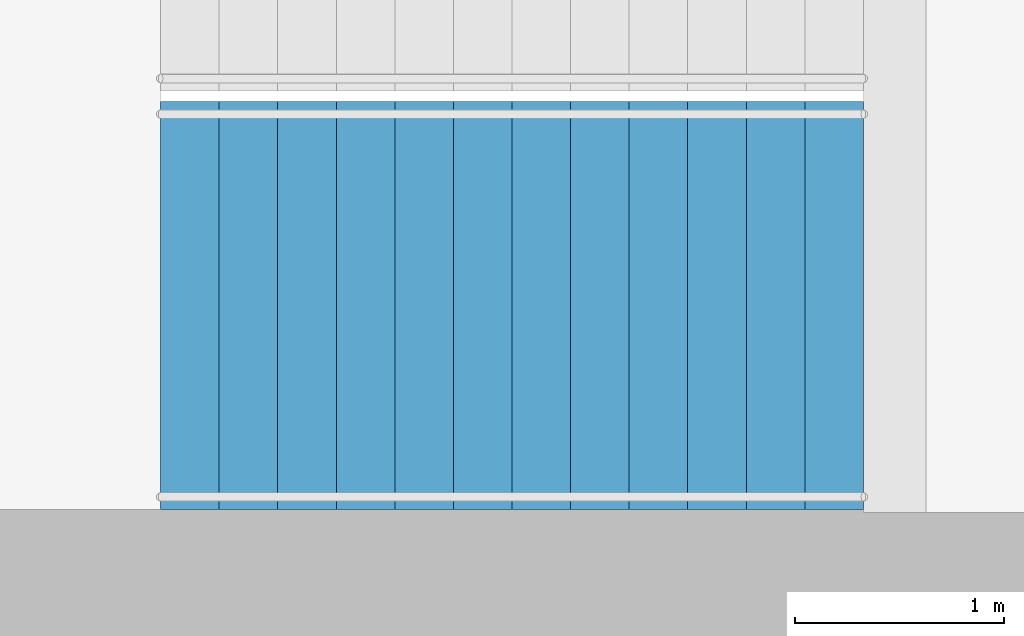
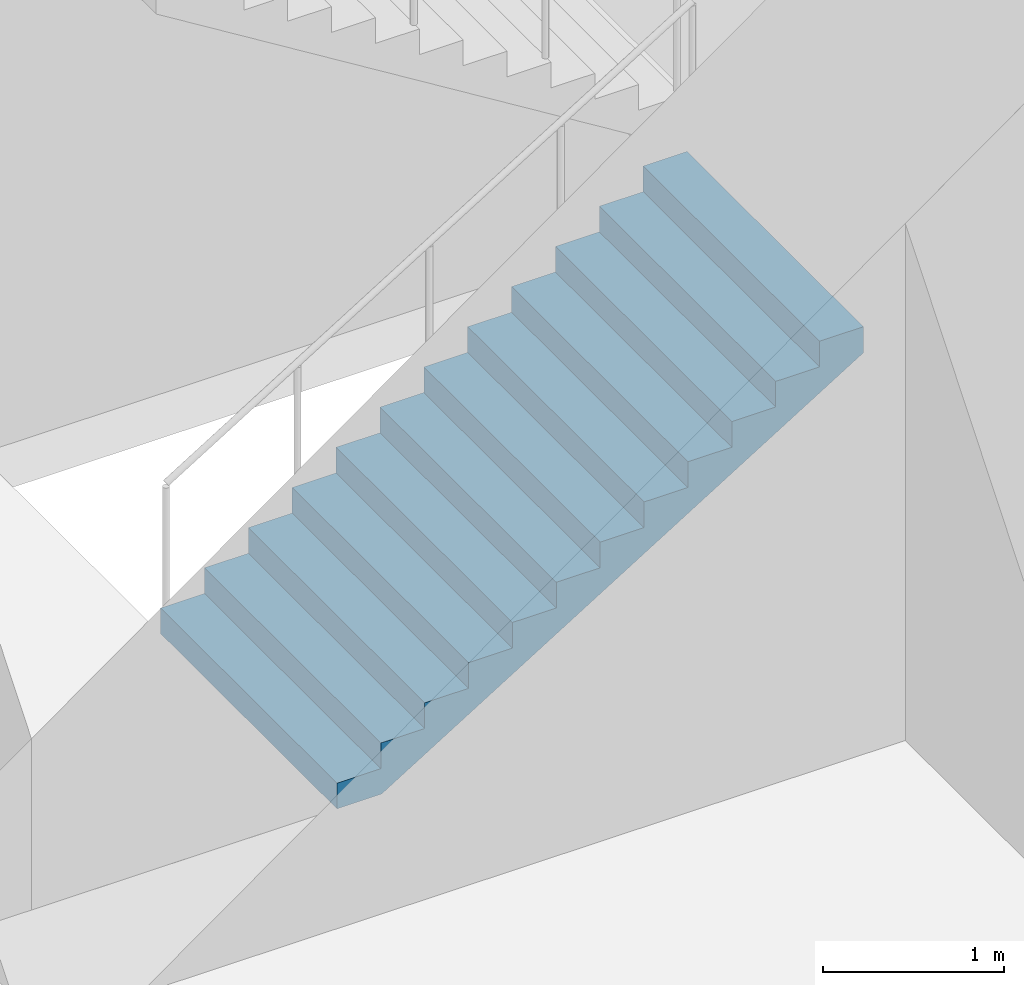
# One storey, part 8 of 16: 1 stair flight, 1 element without a shape of its own.
"""IFC4 building model written with IfcOpenShell, lengths in metres."""

from ifc_helpers import new_model, si_unit, direction, frame, origin, place, context, subcontext, project, spatial, triangles, material, type_object, element, aggregate, save


model = new_model("IFC4")

# Units and contexts
model_context = context("Model", 3, precision=1e-05, world=origin(), true_north=direction((0.0, 1.0)))
body_context = subcontext(model_context, "Body", "Model", "MODEL_VIEW")
ifc_project = project(units=[si_unit("LENGTHUNIT", "METRE"), si_unit("AREAUNIT", "SQUARE_METRE"), si_unit("VOLUMEUNIT", "CUBIC_METRE"), si_unit("PLANEANGLEUNIT", "RADIAN"), si_unit("MASSUNIT", "GRAM", prefix="KILO")], contexts=[model_context])

# Site, building, storey
site_placement = place(None, origin())
site = spatial("IfcSite", under=ifc_project, at=site_placement, CompositionType="ELEMENT")
building_placement = place(site_placement, origin())
building = spatial("IfcBuilding", under=site, at=building_placement, Name="Orbita Commons", CompositionType="ELEMENT")
storey_placement = place(building_placement, frame((0.0, 0.0, -4.5)))
storey = spatial("IfcBuildingStorey", under=building, at=storey_placement, Name="L-01", CompositionType="ELEMENT", Elevation=-4.5)

# Stair, stair flight
ifc_material_1 = material(Name="Precast concrete C40/50", Category="concrete")
stair_type = type_object("IfcStairType", Name="Exit stair S1 2 flights 13 risers 173", PredefinedType="HALF_TURN_STAIR", material=ifc_material_1)
stair_placement = place(storey_placement, origin())
stair = element("IfcStair", 1, at=stair_placement, inside=storey, type_object=stair_type, Name="Exit stair S1 L-01", PredefinedType="HALF_TURN_STAIR")
ifc_material_2 = material(Name="Precast concrete C40/50", Category="concrete")
stair_flight_type = type_object("IfcStairFlightType", Name="Stair flight 13 risers 173 x 280", PredefinedType="STRAIGHT", material=ifc_material_2)
stair_flight_placement = place(storey_placement, frame((20.449951171875, 27.27490234375, 0.0), z_axis=(0.0, 0.0, 1.0), x_axis=(1.0, 0.0, 0.0)))
stair_flight = element("IfcStairFlight", 2, at=stair_flight_placement, type_object=stair_flight_type, Name="S1 flight 1", NumberOfRisers=13, NumberOfTreads=12, PredefinedType="STRAIGHT", RiserHeight=0.173076923, TreadLength=0.28, context=body_context, shape_type="Tessellation", body=[
    triangles([(0.0, 0.974976, 0.0), (0.0, 0.974976, 0.021635), (0.0, 0.81248, 0.021635), (0.0, 0.81248, 0.0), (0.0, 0.649984, 0.021635), (0.0, 0.649984, 0.0), (0.0, 0.487488, 0.021635), (0.0, 0.487488, 0.0), (0.0, 0.324992, 0.021635), (0.0, 0.324992, 0.0), (0.0, 0.162496, 0.021635), (0.0, 0.162496, 0.0), (0.0, 0.0, 0.021635), (0.0, 0.0, 0.0), (0.0, -0.162496, 0.021635), (0.0, -0.162496, 0.0), (0.0, -0.324992, 0.021635), (0.0, -0.324992, 0.0), (0.0, -0.487488, 0.021635), (0.0, -0.487488, 0.0), (0.0, -0.649984, 0.021635), (0.0, -0.649984, 0.0), (0.0, -0.81248, 0.021635), (0.0, -0.81248, 0.0), (0.0, -0.974976, 0.021635), (0.0, -0.974976, 0.0), (0.0, 0.974976, 0.043269), (0.0, 0.81248, 0.043269), (0.0, 0.649984, 0.043269), (0.0, 0.487488, 0.043269), (0.0, 0.324992, 0.043269), (0.0, 0.162496, 0.043269), (0.0, 0.0, 0.043269), (0.0, -0.162496, 0.043269), (0.0, -0.324992, 0.043269), (0.0, -0.487488, 0.043269), (0.0, -0.649984, 0.043269), (0.0, -0.81248, 0.043269), (0.0, -0.974976, 0.043269), (0.0, 0.974976, 0.064904), (0.0, 0.81248, 0.064904), (0.0, 0.649984, 0.064904), (0.0, 0.487488, 0.064904), (0.0, 0.324992, 0.064904), (0.0, 0.162496, 0.064904), (0.0, 0.0, 0.064904), (0.0, -0.162496, 0.064904), (0.0, -0.324992, 0.064904), (0.0, -0.487488, 0.064904), (0.0, -0.649984, 0.064904), (0.0, -0.81248, 0.064904), (0.0, -0.974976, 0.064904), (0.0, 0.974976, 0.086538), (0.0, 0.81248, 0.086538), (0.0, 0.649984, 0.086538), (0.0, 0.487488, 0.086538), (0.0, 0.324992, 0.086538), (0.0, 0.162496, 0.086538), (0.0, 0.0, 0.086538), (0.0, -0.162496, 0.086538), (0.0, -0.324992, 0.086538), (0.0, -0.487488, 0.086538), (0.0, -0.649984, 0.086538), (0.0, -0.81248, 0.086538), (0.0, -0.974976, 0.086538), (0.0, 0.974976, 0.108173), (0.0, 0.81248, 0.108173), (0.0, 0.649984, 0.108173), (0.0, 0.487488, 0.108173), (0.0, 0.324992, 0.108173), (0.0, 0.162496, 0.108173), (0.0, 0.0, 0.108173), (0.0, -0.162496, 0.108173), (0.0, -0.324992, 0.108173), (0.0, -0.487488, 0.108173), (0.0, -0.649984, 0.108173), (0.0, -0.81248, 0.108173), (0.0, -0.974976, 0.108173), (0.0, 0.974976, 0.129808), (0.0, 0.81248, 0.129808), (0.0, 0.649984, 0.129808), (0.0, 0.487488, 0.129808), (0.0, 0.324992, 0.129808), (0.0, 0.162496, 0.129808), (0.0, 0.0, 0.129808), (0.0, -0.162496, 0.129808), (0.0, -0.324992, 0.129808), (0.0, -0.487488, 0.129808), (0.0, -0.649984, 0.129808), (0.0, -0.81248, 0.129808), (0.0, -0.974976, 0.129808), (0.0, 0.974976, 0.151442), (0.0, 0.81248, 0.151442), (0.0, 0.649984, 0.151442), (0.0, 0.487488, 0.151442), (0.0, 0.324992, 0.151442), (0.0, 0.162496, 0.151442), (0.0, 0.0, 0.151442), (0.0, -0.162496, 0.151442), (0.0, -0.324992, 0.151442), (0.0, -0.487488, 0.151442), (0.0, -0.649984, 0.151442), (0.0, -0.81248, 0.151442), (0.0, -0.974976, 0.151442), (0.0, 0.974976, 0.173077), (0.0, 0.81248, 0.173077), (0.0, 0.649984, 0.173077), (0.0, 0.487488, 0.173077), (0.0, 0.324992, 0.173077), (0.0, 0.162496, 0.173077), (0.0, 0.0, 0.173077), (0.0, -0.162496, 0.173077), (0.0, -0.324992, 0.173077), (0.0, -0.487488, 0.173077), (0.0, -0.649984, 0.173077), (0.0, -0.81248, 0.173077), (0.0, -0.974976, 0.173077), (0.28, 0.974976, 0.173077), (0.28, 0.81248, 0.173077), (0.28, 0.649984, 0.173077), (0.28, 0.487488, 0.173077), (0.28, 0.324992, 0.173077), (0.28, 0.162496, 0.173077), (0.28, 0.0, 0.173077), (0.28, -0.162496, 0.173077), (0.28, -0.324992, 0.173077), (0.28, -0.487488, 0.173077), (0.28, -0.649984, 0.173077), (0.28, -0.81248, 0.173077), (0.28, -0.974976, 0.173077), (0.28, 0.974976, 0.346154), (0.28, 0.81248, 0.346154), (0.28, 0.649984, 0.346154), (0.28, 0.487488, 0.346154), (0.28, 0.324992, 0.346154), (0.28, 0.162496, 0.346154), (0.28, 0.0, 0.346154), (0.28, -0.162496, 0.346154), (0.28, -0.324992, 0.346154), (0.28, -0.487488, 0.346154), (0.28, -0.649984, 0.346154), (0.28, -0.81248, 0.346154), (0.28, -0.974976, 0.346154), (0.56, 0.974976, 0.346154), (0.56, 0.81248, 0.346154), (0.56, 0.649984, 0.346154), (0.56, 0.487488, 0.346154), (0.56, 0.324992, 0.346154), (0.56, 0.162496, 0.346154), (0.56, 0.0, 0.346154), (0.56, -0.162496, 0.346154), (0.56, -0.324992, 0.346154), (0.56, -0.487488, 0.346154), (0.56, -0.649984, 0.346154), (0.56, -0.81248, 0.346154), (0.56, -0.974976, 0.346154), (0.56, 0.974976, 0.519231), (0.56, 0.81248, 0.519231), (0.56, 0.649984, 0.519231), (0.56, 0.487488, 0.519231), (0.56, 0.324992, 0.519231), (0.56, 0.162496, 0.519231), (0.56, 0.0, 0.519231), (0.56, -0.162496, 0.519231), (0.56, -0.324992, 0.519231), (0.56, -0.487488, 0.519231), (0.56, -0.649984, 0.519231), (0.56, -0.81248, 0.519231), (0.56, -0.974976, 0.519231), (0.84, 0.974976, 0.519231), (0.84, 0.81248, 0.519231), (0.84, 0.649984, 0.519231), (0.84, 0.487488, 0.519231), (0.84, 0.324992, 0.519231), (0.84, 0.162496, 0.519231), (0.84, 0.0, 0.519231), (0.84, -0.162496, 0.519231), (0.84, -0.324992, 0.519231), (0.84, -0.487488, 0.519231), (0.84, -0.649984, 0.519231), (0.84, -0.81248, 0.519231), (0.84, -0.974976, 0.519231), (0.84, 0.974976, 0.692308), (0.84, 0.81248, 0.692308), (0.84, 0.649984, 0.692308), (0.84, 0.487488, 0.692308), (0.84, 0.324992, 0.692308), (0.84, 0.162496, 0.692308), (0.84, 0.0, 0.692308), (0.84, -0.162496, 0.692308), (0.84, -0.324992, 0.692308), (0.84, -0.487488, 0.692308), (0.84, -0.649984, 0.692308), (0.84, -0.81248, 0.692308), (0.84, -0.974976, 0.692308), (1.12, 0.974976, 0.692308), (1.12, 0.81248, 0.692308), (1.12, 0.649984, 0.692308), (1.12, 0.487488, 0.692308), (1.12, 0.324992, 0.692308), (1.12, 0.162496, 0.692308), (1.12, 0.0, 0.692308), (1.12, -0.162496, 0.692308), (1.12, -0.324992, 0.692308), (1.12, -0.487488, 0.692308), (1.12, -0.649984, 0.692308), (1.12, -0.81248, 0.692308), (1.12, -0.974976, 0.692308), (1.12, 0.974976, 0.865385), (1.12, 0.81248, 0.865385), (1.12, 0.649984, 0.865385), (1.12, 0.487488, 0.865385), (1.12, 0.324992, 0.865385), (1.12, 0.162496, 0.865385), (1.12, 0.0, 0.865385), (1.12, -0.162496, 0.865385), (1.12, -0.324992, 0.865385), (1.12, -0.487488, 0.865385), (1.12, -0.649984, 0.865385), (1.12, -0.81248, 0.865385), (1.12, -0.974976, 0.865385), (1.4, 0.974976, 0.865385), (1.4, 0.81248, 0.865385), (1.4, 0.649984, 0.865385), (1.4, 0.487488, 0.865385), (1.4, 0.324992, 0.865385), (1.4, 0.162496, 0.865385), (1.4, 0.0, 0.865385), (1.4, -0.162496, 0.865385), (1.4, -0.324992, 0.865385), (1.4, -0.487488, 0.865385), (1.4, -0.649984, 0.865385), (1.4, -0.81248, 0.865385), (1.4, -0.974976, 0.865385), (1.4, 0.974976, 1.038462), (1.4, 0.81248, 1.038462), (1.4, 0.649984, 1.038462), (1.4, 0.487488, 1.038462), (1.4, 0.324992, 1.038462), (1.4, 0.162496, 1.038462), (1.4, 0.0, 1.038462), (1.4, -0.162496, 1.038462), (1.4, -0.324992, 1.038462), (1.4, -0.487488, 1.038462), (1.4, -0.649984, 1.038462), (1.4, -0.81248, 1.038462), (1.4, -0.974976, 1.038462), (1.68, 0.974976, 1.038462), (1.68, 0.81248, 1.038462), (1.68, 0.649984, 1.038462), (1.68, 0.487488, 1.038462), (1.68, 0.324992, 1.038462), (1.68, 0.162496, 1.038462), (1.68, 0.0, 1.038462), (1.68, -0.162496, 1.038462), (1.68, -0.324992, 1.038462), (1.68, -0.487488, 1.038462), (1.68, -0.649984, 1.038462), (1.68, -0.81248, 1.038462), (1.68, -0.974976, 1.038462), (1.68, 0.974976, 1.211538), (1.68, 0.81248, 1.211538), (1.68, 0.649984, 1.211538), (1.68, 0.487488, 1.211538), (1.68, 0.324992, 1.211538), (1.68, 0.162496, 1.211538), (1.68, 0.0, 1.211538), (1.68, -0.162496, 1.211538), (1.68, -0.324992, 1.211538), (1.68, -0.487488, 1.211538), (1.68, -0.649984, 1.211538), (1.68, -0.81248, 1.211538), (1.68, -0.974976, 1.211538), (1.96, 0.974976, 1.211538), (1.96, 0.81248, 1.211538), (1.96, 0.649984, 1.211538), (1.96, 0.487488, 1.211538), (1.96, 0.324992, 1.211538), (1.96, 0.162496, 1.211538), (1.96, 0.0, 1.211538), (1.96, -0.162496, 1.211538), (1.96, -0.324992, 1.211538), (1.96, -0.487488, 1.211538), (1.96, -0.649984, 1.211538), (1.96, -0.81248, 1.211538), (1.96, -0.974976, 1.211538), (1.96, 0.974976, 1.384615), (1.96, 0.81248, 1.384615), (1.96, 0.649984, 1.384615), (1.96, 0.487488, 1.384615), (1.96, 0.324992, 1.384615), (1.96, 0.162496, 1.384615), (1.96, 0.0, 1.384615), (1.96, -0.162496, 1.384615), (1.96, -0.324992, 1.384615), (1.96, -0.487488, 1.384615), (1.96, -0.649984, 1.384615), (1.96, -0.81248, 1.384615), (1.96, -0.974976, 1.384615), (2.24, 0.974976, 1.384615), (2.24, 0.81248, 1.384615), (2.24, 0.649984, 1.384615), (2.24, 0.487488, 1.384615), (2.24, 0.324992, 1.384615), (2.24, 0.162496, 1.384615), (2.24, 0.0, 1.384615), (2.24, -0.162496, 1.384615), (2.24, -0.324992, 1.384615), (2.24, -0.487488, 1.384615), (2.24, -0.649984, 1.384615), (2.24, -0.81248, 1.384615), (2.24, -0.974976, 1.384615), (2.24, 0.974976, 1.557692), (2.24, 0.81248, 1.557692), (2.24, 0.649984, 1.557692), (2.24, 0.487488, 1.557692), (2.24, 0.324992, 1.557692), (2.24, 0.162496, 1.557692), (2.24, 0.0, 1.557692), (2.24, -0.162496, 1.557692), (2.24, -0.324992, 1.557692), (2.24, -0.487488, 1.557692), (2.24, -0.649984, 1.557692), (2.24, -0.81248, 1.557692), (2.24, -0.974976, 1.557692), (2.52, 0.974976, 1.557692), (2.52, 0.81248, 1.557692), (2.52, 0.649984, 1.557692), (2.52, 0.487488, 1.557692), (2.52, 0.324992, 1.557692), (2.52, 0.162496, 1.557692), (2.52, 0.0, 1.557692), (2.52, -0.162496, 1.557692), (2.52, -0.324992, 1.557692), (2.52, -0.487488, 1.557692), (2.52, -0.649984, 1.557692), (2.52, -0.81248, 1.557692), (2.52, -0.974976, 1.557692), (2.52, 0.974976, 1.730769), (2.52, 0.81248, 1.730769), (2.52, 0.649984, 1.730769), (2.52, 0.487488, 1.730769), (2.52, 0.324992, 1.730769), (2.52, 0.162496, 1.730769), (2.52, 0.0, 1.730769), (2.52, -0.162496, 1.730769), (2.52, -0.324992, 1.730769), (2.52, -0.487488, 1.730769), (2.52, -0.649984, 1.730769), (2.52, -0.81248, 1.730769), (2.52, -0.974976, 1.730769), (2.8, 0.974976, 1.730769), (2.8, 0.81248, 1.730769), (2.8, 0.649984, 1.730769), (2.8, 0.487488, 1.730769), (2.8, 0.324992, 1.730769), (2.8, 0.162496, 1.730769), (2.8, 0.0, 1.730769), (2.8, -0.162496, 1.730769), (2.8, -0.324992, 1.730769), (2.8, -0.487488, 1.730769), (2.8, -0.649984, 1.730769), (2.8, -0.81248, 1.730769), (2.8, -0.974976, 1.730769), (2.8, 0.974976, 1.903846), (2.8, 0.81248, 1.903846), (2.8, 0.649984, 1.903846), (2.8, 0.487488, 1.903846), (2.8, 0.324992, 1.903846), (2.8, 0.162496, 1.903846), (2.8, 0.0, 1.903846), (2.8, -0.162496, 1.903846), (2.8, -0.324992, 1.903846), (2.8, -0.487488, 1.903846), (2.8, -0.649984, 1.903846), (2.8, -0.81248, 1.903846), (2.8, -0.974976, 1.903846), (3.08, 0.974976, 1.903846), (3.08, 0.81248, 1.903846), (3.08, 0.649984, 1.903846), (3.08, 0.487488, 1.903846), (3.08, 0.324992, 1.903846), (3.08, 0.162496, 1.903846), (3.08, 0.0, 1.903846), (3.08, -0.162496, 1.903846), (3.08, -0.324992, 1.903846), (3.08, -0.487488, 1.903846), (3.08, -0.649984, 1.903846), (3.08, -0.81248, 1.903846), (3.08, -0.974976, 1.903846), (3.08, 0.974976, 2.076923), (3.08, 0.81248, 2.076923), (3.08, 0.649984, 2.076923), (3.08, 0.487488, 2.076923), (3.08, 0.324992, 2.076923), (3.08, 0.162496, 2.076923), (3.08, 0.0, 2.076923), (3.08, -0.162496, 2.076923), (3.08, -0.324992, 2.076923), (3.08, -0.487488, 2.076923), (3.08, -0.649984, 2.076923), (3.08, -0.81248, 2.076923), (3.08, -0.974976, 2.076923), (3.36, 0.974976, 2.076923), (3.36, 0.81248, 2.076923), (3.36, 0.649984, 2.076923), (3.36, 0.487488, 2.076923), (3.36, 0.324992, 2.076923), (3.36, 0.162496, 2.076923), (3.36, 0.0, 2.076923), (3.36, -0.162496, 2.076923), (3.36, -0.324992, 2.076923), (3.36, -0.487488, 2.076923), (3.36, -0.649984, 2.076923), (3.36, -0.81248, 2.076923), (3.36, -0.974976, 2.076923), (3.36, 0.974976, 2.054895), (3.36, 0.81248, 2.054895), (3.36, 0.649984, 2.054895), (3.36, 0.487488, 2.054895), (3.36, 0.324992, 2.054895), (3.36, 0.162496, 2.054895), (3.36, 0.0, 2.054895), (3.36, -0.162496, 2.054895), (3.36, -0.324992, 2.054895), (3.36, -0.487488, 2.054895), (3.36, -0.649984, 2.054895), (3.36, -0.81248, 2.054895), (3.36, -0.974976, 2.054895), (3.36, 0.974976, 2.032866), (3.36, 0.81248, 2.032866), (3.36, 0.649984, 2.032866), (3.36, 0.487488, 2.032866), (3.36, 0.324992, 2.032866), (3.36, 0.162496, 2.032866), (3.36, 0.0, 2.032866), (3.36, -0.162496, 2.032866), (3.36, -0.324992, 2.032866), (3.36, -0.487488, 2.032866), (3.36, -0.649984, 2.032866), (3.36, -0.81248, 2.032866), (3.36, -0.974976, 2.032866), (3.36, 0.974976, 2.010837), (3.36, 0.81248, 2.010837), (3.36, 0.649984, 2.010837), (3.36, 0.487488, 2.010837), (3.36, 0.324992, 2.010837), (3.36, 0.162496, 2.010837), (3.36, 0.0, 2.010837), (3.36, -0.162496, 2.010837), (3.36, -0.324992, 2.010837), (3.36, -0.487488, 2.010837), (3.36, -0.649984, 2.010837), (3.36, -0.81248, 2.010837), (3.36, -0.974976, 2.010837), (3.36, 0.974976, 1.988809), (3.36, 0.81248, 1.988809), (3.36, 0.649984, 1.988809), (3.36, 0.487488, 1.988809), (3.36, 0.324992, 1.988809), (3.36, 0.162496, 1.988809), (3.36, 0.0, 1.988809), (3.36, -0.162496, 1.988809), (3.36, -0.324992, 1.988809), (3.36, -0.487488, 1.988809), (3.36, -0.649984, 1.988809), (3.36, -0.81248, 1.988809), (3.36, -0.974976, 1.988809), (3.36, 0.974976, 1.96678), (3.36, 0.81248, 1.96678), (3.36, 0.649984, 1.96678), (3.36, 0.487488, 1.96678), (3.36, 0.324992, 1.96678), (3.36, 0.162496, 1.96678), (3.36, 0.0, 1.96678), (3.36, -0.162496, 1.96678), (3.36, -0.324992, 1.96678), (3.36, -0.487488, 1.96678), (3.36, -0.649984, 1.96678), (3.36, -0.81248, 1.96678), (3.36, -0.974976, 1.96678), (3.36, 0.974976, 1.944752), (3.36, 0.81248, 1.944752), (3.36, 0.649984, 1.944752), (3.36, 0.487488, 1.944752), (3.36, 0.324992, 1.944752), (3.36, 0.162496, 1.944752), (3.36, 0.0, 1.944752), (3.36, -0.162496, 1.944752), (3.36, -0.324992, 1.944752), (3.36, -0.487488, 1.944752), (3.36, -0.649984, 1.944752), (3.36, -0.81248, 1.944752), (3.36, -0.974976, 1.944752), (3.36, 0.974976, 1.922723), (3.36, 0.81248, 1.922723), (3.36, 0.649984, 1.922723), (3.36, 0.487488, 1.922723), (3.36, 0.324992, 1.922723), (3.36, 0.162496, 1.922723), (3.36, 0.0, 1.922723), (3.36, -0.162496, 1.922723), (3.36, -0.324992, 1.922723), (3.36, -0.487488, 1.922723), (3.36, -0.649984, 1.922723), (3.36, -0.81248, 1.922723), (3.36, -0.974976, 1.922723), (3.36, 0.974976, 1.900695), (3.36, 0.81248, 1.900695), (3.36, 0.649984, 1.900695), (3.36, 0.487488, 1.900695), (3.36, 0.324992, 1.900695), (3.36, 0.162496, 1.900695), (3.36, 0.0, 1.900695), (3.36, -0.162496, 1.900695), (3.36, -0.324992, 1.900695), (3.36, -0.487488, 1.900695), (3.36, -0.649984, 1.900695), (3.36, -0.81248, 1.900695), (3.36, -0.974976, 1.900695), (0.285099, 0.974976, 0.0), (0.285099, 0.81248, 0.0), (0.285099, 0.649984, 0.0), (0.285099, 0.487488, 0.0), (0.285099, 0.324992, 0.0), (0.285099, 0.162496, 0.0), (0.285099, 0.0, 0.0), (0.285099, -0.162496, 0.0), (0.285099, -0.324992, 0.0), (0.285099, -0.487488, 0.0), (0.285099, -0.649984, 0.0), (0.285099, -0.81248, 0.0), (0.285099, -0.974976, 0.0)], [[3, 2, 1], [4, 3, 1], [5, 3, 4], [6, 5, 4], [7, 5, 6], [8, 7, 6], [9, 7, 8], [10, 9, 8], [11, 9, 10], [12, 11, 10], [13, 11, 12], [14, 13, 12], [15, 13, 14], [16, 15, 14], [17, 15, 16], [18, 17, 16], [19, 17, 18], [20, 19, 18], [21, 19, 20], [22, 21, 20], [23, 21, 22], [24, 23, 22], [25, 23, 24], [26, 25, 24], [28, 27, 2], [3, 28, 2], [29, 28, 3], [5, 29, 3], [30, 29, 5], [7, 30, 5], [31, 30, 7], [9, 31, 7], [32, 31, 9], [11, 32, 9], [33, 32, 11], [13, 33, 11], [34, 33, 13], [15, 34, 13], [35, 34, 15], [17, 35, 15], [36, 35, 17], [19, 36, 17], [37, 36, 19], [21, 37, 19], [38, 37, 21], [23, 38, 21], [39, 38, 23], [25, 39, 23], [41, 40, 27], [28, 41, 27], [42, 41, 28], [29, 42, 28], [43, 42, 29], [30, 43, 29], [44, 43, 30], [31, 44, 30], [45, 44, 31], [32, 45, 31], [46, 45, 32], [33, 46, 32], [47, 46, 33], [34, 47, 33], [48, 47, 34], [35, 48, 34], [49, 48, 35], [36, 49, 35], [50, 49, 36], [37, 50, 36], [51, 50, 37], [38, 51, 37], [52, 51, 38], [39, 52, 38], [54, 53, 40], [41, 54, 40], [55, 54, 41], [42, 55, 41], [56, 55, 42], [43, 56, 42], [57, 56, 43], [44, 57, 43], [58, 57, 44], [45, 58, 44], [59, 58, 45], [46, 59, 45], [60, 59, 46], [47, 60, 46], [61, 60, 47], [48, 61, 47], [62, 61, 48], [49, 62, 48], [63, 62, 49], [50, 63, 49], [64, 63, 50], [51, 64, 50], [65, 64, 51], [52, 65, 51], [67, 66, 53], [54, 67, 53], [68, 67, 54], [55, 68, 54], [69, 68, 55], [56, 69, 55], [70, 69, 56], [57, 70, 56], [71, 70, 57], [58, 71, 57], [72, 71, 58], [59, 72, 58], [73, 72, 59], [60, 73, 59], [74, 73, 60], [61, 74, 60], [75, 74, 61], [62, 75, 61], [76, 75, 62], [63, 76, 62], [77, 76, 63], [64, 77, 63], [78, 77, 64], [65, 78, 64], [80, 79, 66], [67, 80, 66], [81, 80, 67], [68, 81, 67], [82, 81, 68], [69, 82, 68], [83, 82, 69], [70, 83, 69], [84, 83, 70], [71, 84, 70], [85, 84, 71], [72, 85, 71], [86, 85, 72], [73, 86, 72], [87, 86, 73], [74, 87, 73], [88, 87, 74], [75, 88, 74], [89, 88, 75], [76, 89, 75], [90, 89, 76], [77, 90, 76], [91, 90, 77], [78, 91, 77], [93, 92, 79], [80, 93, 79], [94, 93, 80], [81, 94, 80], [95, 94, 81], [82, 95, 81], [96, 95, 82], [83, 96, 82], [97, 96, 83], [84, 97, 83], [98, 97, 84], [85, 98, 84], [99, 98, 85], [86, 99, 85], [100, 99, 86], [87, 100, 86], [101, 100, 87], [88, 101, 87], [102, 101, 88], [89, 102, 88], [103, 102, 89], [90, 103, 89], [104, 103, 90], [91, 104, 90], [106, 105, 92], [93, 106, 92], [107, 106, 93], [94, 107, 93], [108, 107, 94], [95, 108, 94], [109, 108, 95], [96, 109, 95], [110, 109, 96], [97, 110, 96], [111, 110, 97], [98, 111, 97], [112, 111, 98], [99, 112, 98], [113, 112, 99], [100, 113, 99], [114, 113, 100], [101, 114, 100], [115, 114, 101], [102, 115, 101], [116, 115, 102], [103, 116, 102], [117, 116, 103], [104, 117, 103], [119, 118, 105], [106, 119, 105], [120, 119, 106], [107, 120, 106], [121, 120, 107], [108, 121, 107], [122, 121, 108], [109, 122, 108], [123, 122, 109], [110, 123, 109], [124, 123, 110], [111, 124, 110], [125, 124, 111], [112, 125, 111], [126, 125, 112], [113, 126, 112], [127, 126, 113], [114, 127, 113], [128, 127, 114], [115, 128, 114], [129, 128, 115], [116, 129, 115], [130, 129, 116], [117, 130, 116], [132, 131, 118], [119, 132, 118], [133, 132, 119], [120, 133, 119], [134, 133, 120], [121, 134, 120], [135, 134, 121], [122, 135, 121], [136, 135, 122], [123, 136, 122], [137, 136, 123], [124, 137, 123], [138, 137, 124], [125, 138, 124], [139, 138, 125], [126, 139, 125], [140, 139, 126], [127, 140, 126], [141, 140, 127], [128, 141, 127], [142, 141, 128], [129, 142, 128], [143, 142, 129], [130, 143, 129], [145, 144, 131], [132, 145, 131], [146, 145, 132], [133, 146, 132], [147, 146, 133], [134, 147, 133], [148, 147, 134], [135, 148, 134], [149, 148, 135], [136, 149, 135], [150, 149, 136], [137, 150, 136], [151, 150, 137], [138, 151, 137], [152, 151, 138], [139, 152, 138], [153, 152, 139], [140, 153, 139], [154, 153, 140], [141, 154, 140], [155, 154, 141], [142, 155, 141], [156, 155, 142], [143, 156, 142], [158, 157, 144], [145, 158, 144], [159, 158, 145], [146, 159, 145], [160, 159, 146], [147, 160, 146], [161, 160, 147], [148, 161, 147], [162, 161, 148], [149, 162, 148], [163, 162, 149], [150, 163, 149], [164, 163, 150], [151, 164, 150], [165, 164, 151], [152, 165, 151], [166, 165, 152], [153, 166, 152], [167, 166, 153], [154, 167, 153], [168, 167, 154], [155, 168, 154], [169, 168, 155], [156, 169, 155], [171, 170, 157], [158, 171, 157], [172, 171, 158], [159, 172, 158], [173, 172, 159], [160, 173, 159], [174, 173, 160], [161, 174, 160], [175, 174, 161], [162, 175, 161], [176, 175, 162], [163, 176, 162], [177, 176, 163], [164, 177, 163], [178, 177, 164], [165, 178, 164], [179, 178, 165], [166, 179, 165], [180, 179, 166], [167, 180, 166], [181, 180, 167], [168, 181, 167], [182, 181, 168], [169, 182, 168], [184, 183, 170], [171, 184, 170], [185, 184, 171], [172, 185, 171], [186, 185, 172], [173, 186, 172], [187, 186, 173], [174, 187, 173], [188, 187, 174], [175, 188, 174], [189, 188, 175], [176, 189, 175], [190, 189, 176], [177, 190, 176], [191, 190, 177], [178, 191, 177], [192, 191, 178], [179, 192, 178], [193, 192, 179], [180, 193, 179], [194, 193, 180], [181, 194, 180], [195, 194, 181], [182, 195, 181], [197, 196, 183], [184, 197, 183], [198, 197, 184], [185, 198, 184], [199, 198, 185], [186, 199, 185], [200, 199, 186], [187, 200, 186], [201, 200, 187], [188, 201, 187], [202, 201, 188], [189, 202, 188], [203, 202, 189], [190, 203, 189], [204, 203, 190], [191, 204, 190], [205, 204, 191], [192, 205, 191], [206, 205, 192], [193, 206, 192], [207, 206, 193], [194, 207, 193], [208, 207, 194], [195, 208, 194], [210, 209, 196], [197, 210, 196], [211, 210, 197], [198, 211, 197], [212, 211, 198], [199, 212, 198], [213, 212, 199], [200, 213, 199], [214, 213, 200], [201, 214, 200], [215, 214, 201], [202, 215, 201], [216, 215, 202], [203, 216, 202], [217, 216, 203], [204, 217, 203], [218, 217, 204], [205, 218, 204], [219, 218, 205], [206, 219, 205], [220, 219, 206], [207, 220, 206], [221, 220, 207], [208, 221, 207], [223, 222, 209], [210, 223, 209], [224, 223, 210], [211, 224, 210], [225, 224, 211], [212, 225, 211], [226, 225, 212], [213, 226, 212], [227, 226, 213], [214, 227, 213], [228, 227, 214], [215, 228, 214], [229, 228, 215], [216, 229, 215], [230, 229, 216], [217, 230, 216], [231, 230, 217], [218, 231, 217], [232, 231, 218], [219, 232, 218], [233, 232, 219], [220, 233, 219], [234, 233, 220], [221, 234, 220], [236, 235, 222], [223, 236, 222], [237, 236, 223], [224, 237, 223], [238, 237, 224], [225, 238, 224], [239, 238, 225], [226, 239, 225], [240, 239, 226], [227, 240, 226], [241, 240, 227], [228, 241, 227], [242, 241, 228], [229, 242, 228], [243, 242, 229], [230, 243, 229], [244, 243, 230], [231, 244, 230], [245, 244, 231], [232, 245, 231], [246, 245, 232], [233, 246, 232], [247, 246, 233], [234, 247, 233], [249, 248, 235], [236, 249, 235], [250, 249, 236], [237, 250, 236], [251, 250, 237], [238, 251, 237], [252, 251, 238], [239, 252, 238], [253, 252, 239], [240, 253, 239], [254, 253, 240], [241, 254, 240], [255, 254, 241], [242, 255, 241], [256, 255, 242], [243, 256, 242], [257, 256, 243], [244, 257, 243], [258, 257, 244], [245, 258, 244], [259, 258, 245], [246, 259, 245], [260, 259, 246], [247, 260, 246], [262, 261, 248], [249, 262, 248], [263, 262, 249], [250, 263, 249], [264, 263, 250], [251, 264, 250], [265, 264, 251], [252, 265, 251], [266, 265, 252], [253, 266, 252], [267, 266, 253], [254, 267, 253], [268, 267, 254], [255, 268, 254], [269, 268, 255], [256, 269, 255], [270, 269, 256], [257, 270, 256], [271, 270, 257], [258, 271, 257], [272, 271, 258], [259, 272, 258], [273, 272, 259], [260, 273, 259], [275, 274, 261], [262, 275, 261], [276, 275, 262], [263, 276, 262], [277, 276, 263], [264, 277, 263], [278, 277, 264], [265, 278, 264], [279, 278, 265], [266, 279, 265], [280, 279, 266], [267, 280, 266], [281, 280, 267], [268, 281, 267], [282, 281, 268], [269, 282, 268], [283, 282, 269], [270, 283, 269], [284, 283, 270], [271, 284, 270], [285, 284, 271], [272, 285, 271], [286, 285, 272], [273, 286, 272], [288, 287, 274], [275, 288, 274], [289, 288, 275], [276, 289, 275], [290, 289, 276], [277, 290, 276], [291, 290, 277], [278, 291, 277], [292, 291, 278], [279, 292, 278], [293, 292, 279], [280, 293, 279], [294, 293, 280], [281, 294, 280], [295, 294, 281], [282, 295, 281], [296, 295, 282], [283, 296, 282], [297, 296, 283], [284, 297, 283], [298, 297, 284], [285, 298, 284], [299, 298, 285], [286, 299, 285], [301, 300, 287], [288, 301, 287], [302, 301, 288], [289, 302, 288], [303, 302, 289], [290, 303, 289], [304, 303, 290], [291, 304, 290], [305, 304, 291], [292, 305, 291], [306, 305, 292], [293, 306, 292], [307, 306, 293], [294, 307, 293], [308, 307, 294], [295, 308, 294], [309, 308, 295], [296, 309, 295], [310, 309, 296], [297, 310, 296], [311, 310, 297], [298, 311, 297], [312, 311, 298], [299, 312, 298], [314, 313, 300], [301, 314, 300], [315, 314, 301], [302, 315, 301], [316, 315, 302], [303, 316, 302], [317, 316, 303], [304, 317, 303], [318, 317, 304], [305, 318, 304], [319, 318, 305], [306, 319, 305], [320, 319, 306], [307, 320, 306], [321, 320, 307], [308, 321, 307], [322, 321, 308], [309, 322, 308], [323, 322, 309], [310, 323, 309], [324, 323, 310], [311, 324, 310], [325, 324, 311], [312, 325, 311], [327, 326, 313], [314, 327, 313], [328, 327, 314], [315, 328, 314], [329, 328, 315], [316, 329, 315], [330, 329, 316], [317, 330, 316], [331, 330, 317], [318, 331, 317], [332, 331, 318], [319, 332, 318], [333, 332, 319], [320, 333, 319], [334, 333, 320], [321, 334, 320], [335, 334, 321], [322, 335, 321], [336, 335, 322], [323, 336, 322], [337, 336, 323], [324, 337, 323], [338, 337, 324], [325, 338, 324], [340, 339, 326], [327, 340, 326], [341, 340, 327], [328, 341, 327], [342, 341, 328], [329, 342, 328], [343, 342, 329], [330, 343, 329], [344, 343, 330], [331, 344, 330], [345, 344, 331], [332, 345, 331], [346, 345, 332], [333, 346, 332], [347, 346, 333], [334, 347, 333], [348, 347, 334], [335, 348, 334], [349, 348, 335], [336, 349, 335], [350, 349, 336], [337, 350, 336], [351, 350, 337], [338, 351, 337], [353, 352, 339], [340, 353, 339], [354, 353, 340], [341, 354, 340], [355, 354, 341], [342, 355, 341], [356, 355, 342], [343, 356, 342], [357, 356, 343], [344, 357, 343], [358, 357, 344], [345, 358, 344], [359, 358, 345], [346, 359, 345], [360, 359, 346], [347, 360, 346], [361, 360, 347], [348, 361, 347], [362, 361, 348], [349, 362, 348], [363, 362, 349], [350, 363, 349], [364, 363, 350], [351, 364, 350], [366, 365, 352], [353, 366, 352], [367, 366, 353], [354, 367, 353], [368, 367, 354], [355, 368, 354], [369, 368, 355], [356, 369, 355], [370, 369, 356], [357, 370, 356], [371, 370, 357], [358, 371, 357], [372, 371, 358], [359, 372, 358], [373, 372, 359], [360, 373, 359], [374, 373, 360], [361, 374, 360], [375, 374, 361], [362, 375, 361], [376, 375, 362], [363, 376, 362], [377, 376, 363], [364, 377, 363], [379, 378, 365], [366, 379, 365], [380, 379, 366], [367, 380, 366], [381, 380, 367], [368, 381, 367], [382, 381, 368], [369, 382, 368], [383, 382, 369], [370, 383, 369], [384, 383, 370], [371, 384, 370], [385, 384, 371], [372, 385, 371], [386, 385, 372], [373, 386, 372], [387, 386, 373], [374, 387, 373], [388, 387, 374], [375, 388, 374], [389, 388, 375], [376, 389, 375], [390, 389, 376], [377, 390, 376], [392, 391, 378], [379, 392, 378], [393, 392, 379], [380, 393, 379], [394, 393, 380], [381, 394, 380], [395, 394, 381], [382, 395, 381], [396, 395, 382], [383, 396, 382], [397, 396, 383], [384, 397, 383], [398, 397, 384], [385, 398, 384], [399, 398, 385], [386, 399, 385], [400, 399, 386], [387, 400, 386], [401, 400, 387], [388, 401, 387], [402, 401, 388], [389, 402, 388], [403, 402, 389], [390, 403, 389], [405, 404, 391], [392, 405, 391], [406, 405, 392], [393, 406, 392], [407, 406, 393], [394, 407, 393], [408, 407, 394], [395, 408, 394], [409, 408, 395], [396, 409, 395], [410, 409, 396], [397, 410, 396], [411, 410, 397], [398, 411, 397], [412, 411, 398], [399, 412, 398], [413, 412, 399], [400, 413, 399], [414, 413, 400], [401, 414, 400], [415, 414, 401], [402, 415, 401], [416, 415, 402], [403, 416, 402], [418, 417, 404], [405, 418, 404], [419, 418, 405], [406, 419, 405], [420, 419, 406], [407, 420, 406], [421, 420, 407], [408, 421, 407], [422, 421, 408], [409, 422, 408], [423, 422, 409], [410, 423, 409], [424, 423, 410], [411, 424, 410], [425, 424, 411], [412, 425, 411], [426, 425, 412], [413, 426, 412], [427, 426, 413], [414, 427, 413], [428, 427, 414], [415, 428, 414], [429, 428, 415], [416, 429, 415], [431, 430, 417], [418, 431, 417], [432, 431, 418], [419, 432, 418], [433, 432, 419], [420, 433, 419], [434, 433, 420], [421, 434, 420], [435, 434, 421], [422, 435, 421], [436, 435, 422], [423, 436, 422], [437, 436, 423], [424, 437, 423], [438, 437, 424], [425, 438, 424], [439, 438, 425], [426, 439, 425], [440, 439, 426], [427, 440, 426], [441, 440, 427], [428, 441, 427], [442, 441, 428], [429, 442, 428], [444, 443, 430], [431, 444, 430], [445, 444, 431], [432, 445, 431], [446, 445, 432], [433, 446, 432], [447, 446, 433], [434, 447, 433], [448, 447, 434], [435, 448, 434], [449, 448, 435], [436, 449, 435], [450, 449, 436], [437, 450, 436], [451, 450, 437], [438, 451, 437], [452, 451, 438], [439, 452, 438], [453, 452, 439], [440, 453, 439], [454, 453, 440], [441, 454, 440], [455, 454, 441], [442, 455, 441], [457, 456, 443], [444, 457, 443], [458, 457, 444], [445, 458, 444], [459, 458, 445], [446, 459, 445], [460, 459, 446], [447, 460, 446], [461, 460, 447], [448, 461, 447], [462, 461, 448], [449, 462, 448], [463, 462, 449], [450, 463, 449], [464, 463, 450], [451, 464, 450], [465, 464, 451], [452, 465, 451], [466, 465, 452], [453, 466, 452], [467, 466, 453], [454, 467, 453], [468, 467, 454], [455, 468, 454], [470, 469, 456], [457, 470, 456], [471, 470, 457], [458, 471, 457], [472, 471, 458], [459, 472, 458], [473, 472, 459], [460, 473, 459], [474, 473, 460], [461, 474, 460], [475, 474, 461], [462, 475, 461], [476, 475, 462], [463, 476, 462], [477, 476, 463], [464, 477, 463], [478, 477, 464], [465, 478, 464], [479, 478, 465], [466, 479, 465], [480, 479, 466], [467, 480, 466], [481, 480, 467], [468, 481, 467], [483, 482, 469], [470, 483, 469], [484, 483, 470], [471, 484, 470], [485, 484, 471], [472, 485, 471], [486, 485, 472], [473, 486, 472], [487, 486, 473], [474, 487, 473], [488, 487, 474], [475, 488, 474], [489, 488, 475], [476, 489, 475], [490, 489, 476], [477, 490, 476], [491, 490, 477], [478, 491, 477], [492, 491, 478], [479, 492, 478], [493, 492, 479], [480, 493, 479], [494, 493, 480], [481, 494, 480], [496, 495, 482], [483, 496, 482], [497, 496, 483], [484, 497, 483], [498, 497, 484], [485, 498, 484], [499, 498, 485], [486, 499, 485], [500, 499, 486], [487, 500, 486], [501, 500, 487], [488, 501, 487], [502, 501, 488], [489, 502, 488], [503, 502, 489], [490, 503, 489], [504, 503, 490], [491, 504, 490], [505, 504, 491], [492, 505, 491], [506, 505, 492], [493, 506, 492], [507, 506, 493], [494, 507, 493], [509, 508, 495], [496, 509, 495], [510, 509, 496], [497, 510, 496], [511, 510, 497], [498, 511, 497], [512, 511, 498], [499, 512, 498], [513, 512, 499], [500, 513, 499], [514, 513, 500], [501, 514, 500], [515, 514, 501], [502, 515, 501], [516, 515, 502], [503, 516, 502], [517, 516, 503], [504, 517, 503], [518, 517, 504], [505, 518, 504], [519, 518, 505], [506, 519, 505], [520, 519, 506], [507, 520, 506], [522, 521, 508], [509, 522, 508], [523, 522, 509], [510, 523, 509], [524, 523, 510], [511, 524, 510], [525, 524, 511], [512, 525, 511], [526, 525, 512], [513, 526, 512], [527, 526, 513], [514, 527, 513], [528, 527, 514], [515, 528, 514], [529, 528, 515], [516, 529, 515], [530, 529, 516], [517, 530, 516], [531, 530, 517], [518, 531, 517], [532, 531, 518], [519, 532, 518], [533, 532, 519], [520, 533, 519], [4, 1, 521], [522, 4, 521], [6, 4, 522], [523, 6, 522], [8, 6, 523], [524, 8, 523], [10, 8, 524], [525, 10, 524], [12, 10, 525], [526, 12, 525], [14, 12, 526], [527, 14, 526], [16, 14, 527], [528, 16, 527], [18, 16, 528], [529, 18, 528], [20, 18, 529], [530, 20, 529], [22, 20, 530], [531, 22, 530], [24, 22, 531], [532, 24, 531], [26, 24, 532], [533, 26, 532], [508, 521, 1], [26, 533, 520], [495, 508, 1], [26, 520, 507], [482, 495, 1], [26, 507, 494], [469, 482, 1], [26, 494, 481], [456, 469, 1], [26, 481, 468], [443, 456, 1], [26, 468, 455], [430, 443, 1], [26, 455, 442], [417, 430, 1], [26, 442, 429], [391, 404, 417], [429, 416, 403], [378, 391, 417], [429, 403, 390], [352, 365, 378], [390, 377, 364], [352, 378, 417], [429, 390, 364], [326, 339, 352], [364, 351, 338], [326, 352, 417], [429, 364, 338], [300, 313, 326], [338, 325, 312], [300, 326, 417], [429, 338, 312], [274, 287, 300], [312, 299, 286], [274, 300, 417], [429, 312, 286], [248, 261, 274], [286, 273, 260], [248, 274, 417], [429, 286, 260], [222, 235, 248], [260, 247, 234], [222, 248, 417], [429, 260, 234], [196, 209, 222], [234, 221, 208], [196, 222, 417], [429, 234, 208], [170, 183, 196], [208, 195, 182], [170, 196, 417], [429, 208, 182], [144, 157, 170], [182, 169, 156], [144, 170, 417], [429, 182, 156], [118, 131, 144], [156, 143, 130], [118, 144, 417], [429, 156, 130], [118, 417, 1], [26, 429, 130], [92, 105, 118], [130, 117, 104], [79, 92, 118], [130, 104, 91], [66, 79, 118], [130, 91, 78], [53, 66, 118], [130, 78, 65], [40, 53, 118], [130, 65, 52], [27, 40, 118], [130, 52, 39], [2, 27, 118], [130, 39, 25], [1, 2, 118], [130, 25, 26]], closed=True),
])
aggregate(stair, [stair_flight])

save(model, "model.ifc")
